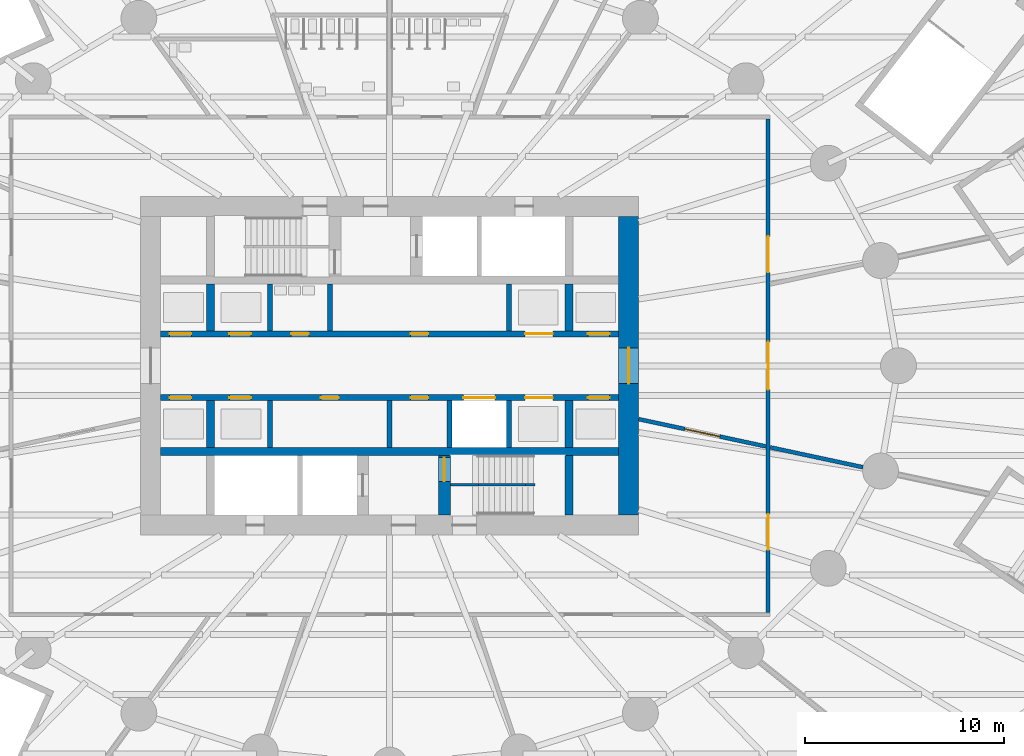
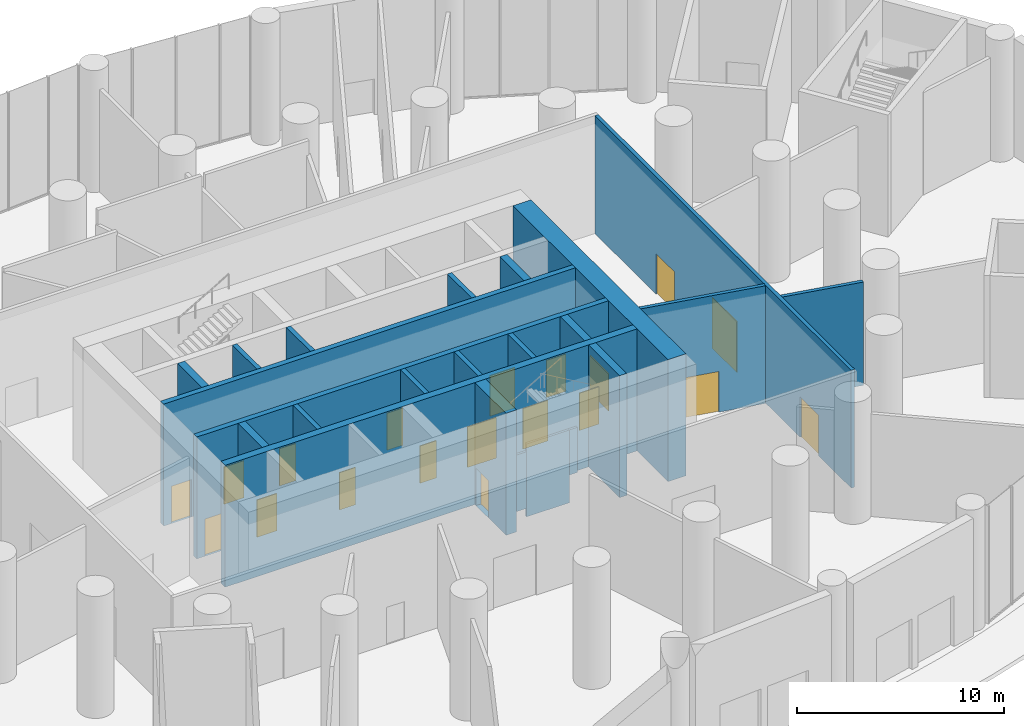
# One storey, part 15 of 22: 23 walls, 19 doors, 19 openings.
"""IFC4 building model written with IfcOpenShell, lengths in metres."""

from ifc_helpers import new_model, si_unit, direction, frame, frame_2d, origin, place, context, subcontext, project, spatial, rectangle, extrude, material, layer, layer_set, type_object, element, fill, save


model = new_model("IFC4")

# Units and contexts
model_context = context("Model", 3, precision=1e-05, world=origin(), true_north=direction((0.0, 1.0)))
body_context = subcontext(model_context, "Body", "Model", "MODEL_VIEW")
ifc_project = project(units=[si_unit("LENGTHUNIT", "METRE"), si_unit("AREAUNIT", "SQUARE_METRE"), si_unit("VOLUMEUNIT", "CUBIC_METRE"), si_unit("PLANEANGLEUNIT", "RADIAN"), si_unit("MASSUNIT", "GRAM", prefix="KILO")], contexts=[model_context])

# Site, building, storey
site_placement = place(None, origin())
site = spatial("IfcSite", under=ifc_project, at=site_placement, CompositionType="ELEMENT")
building_placement = place(site_placement, origin())
building = spatial("IfcBuilding", under=site, at=building_placement, Name="Hankou Lantern Tower", CompositionType="ELEMENT")
storey_placement = place(building_placement, origin())
storey = spatial("IfcBuildingStorey", under=building, at=storey_placement, Name="L00", CompositionType="ELEMENT", Elevation=0.0)

# Wall, opening, door
ifc_material_1 = material(Name="Concrete C60", Category="concrete")
ifc_layer_1 = layer(ifc_material_1, 1.0)
ifc_layer_set_1 = layer_set([ifc_layer_1], Name="Concrete C60")
wall_type_1 = type_object("IfcWallType", Name="CW1 CORE WALL 1000", PredefinedType="SHEAR", material=ifc_layer_set_1)
wall_1_placement = place(storey_placement, frame((12.0, -7.5, 0.0), z_axis=(0.0, 0.0, 1.0), x_axis=(0.0, 1.0, 0.0)))
wall_1 = element("IfcWall", 1, at=wall_1_placement, inside=storey, type_object=wall_type_1, Name="Core wall east L00", PredefinedType="SHEAR", context=body_context, shape_type="SweptSolid", body=[
    extrude(rectangle(XDim=15.0, YDim=1.0, at=frame_2d((7.5, 0.0))), origin(), (0.0, 0.0, 1.0), 7.199951171875),
])
opening_1_placement = place(wall_1_placement, frame((6.60009765625, 0.0, 0.0)))
opening_1 = element("IfcOpeningElement", 2, at=opening_1_placement, cuts=wall_1, Name="Opening D6", PredefinedType="OPENING", context=body_context, shape_type="SweptSolid", body=[
    extrude(rectangle(XDim=1.800048828125, YDim=2.199951171875, at=frame_2d((0.89990234375, 1.10009765625))), frame((0.0, 0.510009765625, 0.0), z_axis=(0.0, -1.0, 0.0), x_axis=(1.0, 0.0, 0.0)), (0.0, 0.0, 1.0), 1.02001953125),
])
ifc_material_2 = material(Name="Steel door leaf", Category="steel")
door_type_1 = type_object("IfcDoorType", Name="D6 LIFT LOBBY DOOR 1800X2200", OperationType="DOUBLE_DOOR_DOUBLE_SWING", PredefinedType="DOOR", material=ifc_material_2)
door_1_placement = place(opening_1_placement, origin())
door_1 = element("IfcDoor", 3, at=door_1_placement, inside=storey, type_object=door_type_1, Name="Lift lobby east door", OperationType="DOUBLE_DOOR_DOUBLE_SWING", OverallHeight=2.199951171875, OverallWidth=1.800048828125, PredefinedType="DOOR", context=body_context, shape_type="SweptSolid", body=[
    extrude(rectangle(XDim=1.800048828125, YDim=2.199951171875, at=frame_2d((0.89990234375, 1.10009765625))), frame((0.0, 0.02490234375, 0.0), z_axis=(0.0, -1.0, 0.0), x_axis=(1.0, 0.0, 0.0)), (0.0, 0.0, 1.0), 0.050048828125),
])
fill(opening_1, door_1)

# Walls
ifc_material_3 = material(Name="Concrete C50", Category="concrete")
ifc_layer_2 = layer(ifc_material_3, 0.1201171875)
ifc_layer_set_2 = layer_set([ifc_layer_2], Name="Concrete C50")
wall_type_2 = type_object("IfcWallType", Name="CW10 STAIR SEPARATION WALL 120", PredefinedType="PARTITIONING", material=ifc_layer_set_2)
wall_2_placement = place(storey_placement, frame((6.830078125, -5.97509765625, -0.5), z_axis=(0.0, 0.0, 1.0), x_axis=(-1.0, 0.0, 0.0)))
element("IfcWall", 4, at=wall_2_placement, inside=storey, type_object=wall_type_2, Name="Stair B separation wall (flight gap)", PredefinedType="PARTITIONING", context=body_context, shape_type="SweptSolid", body=[
    extrude(rectangle(XDim=2.380126953125, YDim=0.1201171875, at=frame_2d((1.18994140625, 0.0))), origin(), (0.0, 0.0, 1.0), 4.300048828125),
])
wall_3_placement = place(storey_placement, frame((4.449951171875, -5.97509765625, 0.0), z_axis=(0.0, 0.0, 1.0), x_axis=(-1.0, 0.0, 0.0)))
element("IfcWall", 5, at=wall_3_placement, inside=storey, type_object=wall_type_2, Name="Stair B separation wall (landing)", PredefinedType="PARTITIONING", context=body_context, shape_type="SweptSolid", body=[
    extrude(rectangle(XDim=1.39990234375, YDim=0.1201171875, at=frame_2d((0.699951171875, 0.0))), origin(), (0.0, 0.0, 1.0), 3.35009765625),
])
wall_4_placement = place(storey_placement, frame((7.300048828125, -5.97509765625, 1.12890625), z_axis=(0.0, 0.0, 1.0), x_axis=(-1.0, 0.0, 0.0)))
element("IfcWall", 6, at=wall_4_placement, inside=storey, type_object=wall_type_2, Name="Stair B separation wall (flight gap, west end)", PredefinedType="PARTITIONING", context=body_context, shape_type="SweptSolid", body=[
    extrude(rectangle(XDim=0.469970703125, YDim=0.1201171875, at=frame_2d((0.23486328125, 0.0))), origin(), (0.0, 0.0, 1.0), 2.671142578125),
])
ifc_material_4 = material(Name="Concrete C60", Category="concrete")
ifc_layer_3 = layer(ifc_material_4, 0.39990234375)
ifc_layer_set_3 = layer_set([ifc_layer_3], Name="Concrete C60")
wall_type_3 = type_object("IfcWallType", Name="CW4 CORE CROSS WALL 400", PredefinedType="SHEAR", material=ifc_layer_set_3)
wall_5_placement = place(storey_placement, frame((-11.5, -4.300048828125, 0.0), z_axis=(0.0, 0.0, 1.0), x_axis=(1.0, 0.0, 0.0)))
element("IfcWall", 7, at=wall_5_placement, inside=storey, type_object=wall_type_3, Name="Core band wall south L00", PredefinedType="SHEAR", context=body_context, shape_type="SweptSolid", body=[
    extrude(rectangle(XDim=23.0, YDim=0.39990234375, at=frame_2d((11.5, 0.0))), origin(), (0.0, 0.0, 1.0), 7.199951171875),
])
for number, where, z_axis, x_axis, name in (
    (8, (-9.0, 1.75, 0.0), (0.0, 0.0, 1.0), (0.0, 1.0, 0.0), "Core strip wall L00"),
    (9, (-9.0, -4.10009765625, 0.0), (0.0, 0.0, 1.0), (0.0, 1.0, 0.0), "Core strip wall L00"),
    (10, (9.0, 1.75, 0.0), (0.0, 0.0, 1.0), (0.0, 1.0, 0.0), "Core strip wall L00"),
    (11, (9.0, -4.10009765625, 0.0), (0.0, 0.0, 1.0), (0.0, 1.0, 0.0), "Core strip wall L00"),
):
    element("IfcWall", number, at=place(storey_placement, frame(where, z_axis=z_axis, x_axis=x_axis)), inside=storey, type_object=wall_type_3, Name=name, PredefinedType="SHEAR", context=body_context, shape_type="SweptSolid", body=[
        extrude(rectangle(XDim=2.35009765625, YDim=0.39990234375, at=frame_2d((1.175048828125, 0.0))), origin(), (0.0, 0.0, 1.0), 7.199951171875),
    ])
wall_6_placement = place(storey_placement, frame((9.0, -7.5, 0.0), z_axis=(0.0, 0.0, 1.0), x_axis=(0.0, 1.0, 0.0)))
element("IfcWall", 12, at=wall_6_placement, inside=storey, type_object=wall_type_3, Name="Core strip wall L00", PredefinedType="SHEAR", context=body_context, shape_type="SweptSolid", body=[
    extrude(rectangle(XDim=3.0, YDim=0.39990234375, at=frame_2d((1.5, 0.0))), origin(), (0.0, 0.0, 1.0), 7.199951171875),
])

# Wall, openings, doors
ifc_material_5 = material(Name="Concrete C60", Category="concrete")
ifc_layer_4 = layer(ifc_material_5, 0.300048828125)
ifc_layer_set_4 = layer_set([ifc_layer_4], Name="Concrete C60")
wall_type_4 = type_object("IfcWallType", Name="CW5 LIFT LOBBY WALL 300", PredefinedType="SHEAR", material=ifc_layer_set_4)
wall_7_placement = place(storey_placement, frame((-11.5, 1.60009765625, 0.0), z_axis=(0.0, 0.0, 1.0), x_axis=(1.0, 0.0, 0.0)))
wall_7 = element("IfcWall", 13, at=wall_7_placement, inside=storey, type_object=wall_type_4, Name="Lift lobby wall north L00", PredefinedType="SHEAR", context=body_context, shape_type="SweptSolid", body=[
    extrude(rectangle(XDim=23.0, YDim=0.300048828125, at=frame_2d((11.5, 0.0))), origin(), (0.0, 0.0, 1.0), 7.199951171875),
])
opening_2_placement = place(wall_7_placement, frame((0.449951171875, 0.0, 0.0)))
opening_2 = element("IfcOpeningElement", 14, at=opening_2_placement, cuts=wall_7, Name="Opening LD1", PredefinedType="OPENING", context=body_context, shape_type="SweptSolid", body=[
    extrude(rectangle(XDim=1.10009765625, YDim=2.199951171875, at=frame_2d((0.550048828125, 1.10009765625))), frame((0.0, 0.159912109375, 0.0), z_axis=(0.0, -1.0, 0.0), x_axis=(1.0, 0.0, 0.0)), (0.0, 0.0, 1.0), 0.320068359375),
])
opening_3_placement = place(wall_7_placement, frame((3.449951171875, 0.0, 0.0)))
opening_3 = element("IfcOpeningElement", 15, at=opening_3_placement, cuts=wall_7, Name="Opening LD1", PredefinedType="OPENING", context=body_context, shape_type="SweptSolid", body=[
    extrude(rectangle(XDim=1.10009765625, YDim=2.199951171875, at=frame_2d((0.550048828125, 1.10009765625))), frame((0.0, 0.159912109375, 0.0), z_axis=(0.0, -1.0, 0.0), x_axis=(1.0, 0.0, 0.0)), (0.0, 0.0, 1.0), 0.320068359375),
])
opening_4_placement = place(wall_7_placement, frame((18.300048828125, 0.0, 0.0)))
opening_4 = element("IfcOpeningElement", 16, at=opening_4_placement, cuts=wall_7, Name="Opening LD3", PredefinedType="OPENING", context=body_context, shape_type="SweptSolid", body=[
    extrude(rectangle(XDim=1.39990234375, YDim=2.39990234375, at=frame_2d((0.699951171875, 1.199951171875))), frame((0.0, 0.159912109375, 0.0), z_axis=(0.0, -1.0, 0.0), x_axis=(1.0, 0.0, 0.0)), (0.0, 0.0, 1.0), 0.320068359375),
])
opening_5_placement = place(wall_7_placement, frame((21.449951171875, 0.0, 0.0)))
opening_5 = element("IfcOpeningElement", 17, at=opening_5_placement, cuts=wall_7, Name="Opening LD1", PredefinedType="OPENING", context=body_context, shape_type="SweptSolid", body=[
    extrude(rectangle(XDim=1.10009765625, YDim=2.199951171875, at=frame_2d((0.550048828125, 1.10009765625))), frame((0.0, 0.159912109375, 0.0), z_axis=(0.0, -1.0, 0.0), x_axis=(1.0, 0.0, 0.0)), (0.0, 0.0, 1.0), 0.320068359375),
])
opening_6_placement = place(wall_7_placement, frame((6.550048828125, 0.0, 0.0)))
opening_6 = element("IfcOpeningElement", 18, at=opening_6_placement, cuts=wall_7, Name="Opening D30", PredefinedType="OPENING", context=body_context, shape_type="SweptSolid", body=[
    extrude(rectangle(XDim=0.89990234375, YDim=2.199951171875, at=frame_2d((0.449951171875, 1.10009765625))), frame((0.0, 0.159912109375, 0.0), z_axis=(0.0, -1.0, 0.0), x_axis=(1.0, 0.0, 0.0)), (0.0, 0.0, 1.0), 0.320068359375),
])
opening_7_placement = place(wall_7_placement, frame((12.550048828125, 0.0, 0.0)))
opening_7 = element("IfcOpeningElement", 19, at=opening_7_placement, cuts=wall_7, Name="Opening D30", PredefinedType="OPENING", context=body_context, shape_type="SweptSolid", body=[
    extrude(rectangle(XDim=0.89990234375, YDim=2.199951171875, at=frame_2d((0.449951171875, 1.10009765625))), frame((0.0, 0.159912109375, 0.0), z_axis=(0.0, -1.0, 0.0), x_axis=(1.0, 0.0, 0.0)), (0.0, 0.0, 1.0), 0.320068359375),
])
ifc_material_6 = material(Name="Steel door leaf", Category="steel")
door_type_2 = type_object("IfcDoorType", Name="D30 CORE ROOM DOOR 900X2200", OperationType="SINGLE_SWING_LEFT", PredefinedType="DOOR", material=ifc_material_6)
door_2_placement = place(opening_6_placement, origin())
door_2 = element("IfcDoor", 20, at=door_2_placement, inside=storey, type_object=door_type_2, Name="Staff WC door", OperationType="SINGLE_SWING_LEFT", OverallHeight=2.199951171875, OverallWidth=0.89990234375, PredefinedType="DOOR", context=body_context, shape_type="SweptSolid", body=[
    extrude(rectangle(XDim=0.89990234375, YDim=2.199951171875, at=frame_2d((0.449951171875, 1.10009765625))), frame((0.0, 0.02490234375, 0.0), z_axis=(0.0, -1.0, 0.0), x_axis=(1.0, 0.0, 0.0)), (0.0, 0.0, 1.0), 0.050048828125),
])
fill(opening_6, door_2)
door_3_placement = place(opening_7_placement, origin())
door_3 = element("IfcDoor", 21, at=door_3_placement, inside=storey, type_object=door_type_2, Name="Engineering store door", OperationType="SINGLE_SWING_RIGHT", OverallHeight=2.199951171875, OverallWidth=0.89990234375, PredefinedType="DOOR", context=body_context, shape_type="SweptSolid", body=[
    extrude(rectangle(XDim=0.89990234375, YDim=2.199951171875, at=frame_2d((0.449951171875, 1.10009765625))), frame((0.0, 0.02490234375, 0.0), z_axis=(0.0, -1.0, 0.0), x_axis=(1.0, 0.0, 0.0)), (0.0, 0.0, 1.0), 0.050048828125),
])
fill(opening_7, door_3)
ifc_material_7 = material(Name="Steel door leaf", Category="steel")
door_type_3 = type_object("IfcDoorType", Name="LD1 LIFT LANDING DOOR 1100X2200", OperationType="DOUBLE_DOOR_SLIDING", PredefinedType="DOOR", material=ifc_material_7)
door_4_placement = place(opening_2_placement, origin())
door_4 = element("IfcDoor", 22, at=door_4_placement, inside=storey, type_object=door_type_3, Name="Lift L1 landing door", OperationType="DOUBLE_DOOR_SLIDING", OverallHeight=2.199951171875, OverallWidth=1.10009765625, PredefinedType="DOOR", context=body_context, shape_type="SweptSolid", body=[
    extrude(rectangle(XDim=1.10009765625, YDim=2.199951171875, at=frame_2d((0.550048828125, 1.10009765625))), frame((0.0, 0.02490234375, 0.0), z_axis=(0.0, -1.0, 0.0), x_axis=(1.0, 0.0, 0.0)), (0.0, 0.0, 1.0), 0.050048828125),
])
fill(opening_2, door_4)
door_5_placement = place(opening_3_placement, origin())
door_5 = element("IfcDoor", 23, at=door_5_placement, inside=storey, type_object=door_type_3, Name="Lift L2 landing door", OperationType="DOUBLE_DOOR_SLIDING", OverallHeight=2.199951171875, OverallWidth=1.10009765625, PredefinedType="DOOR", context=body_context, shape_type="SweptSolid", body=[
    extrude(rectangle(XDim=1.10009765625, YDim=2.199951171875, at=frame_2d((0.550048828125, 1.10009765625))), frame((0.0, 0.02490234375, 0.0), z_axis=(0.0, -1.0, 0.0), x_axis=(1.0, 0.0, 0.0)), (0.0, 0.0, 1.0), 0.050048828125),
])
fill(opening_3, door_5)
door_6_placement = place(opening_5_placement, origin())
door_6 = element("IfcDoor", 24, at=door_6_placement, inside=storey, type_object=door_type_3, Name="Lift S1 landing door", OperationType="DOUBLE_DOOR_SLIDING", OverallHeight=2.199951171875, OverallWidth=1.10009765625, PredefinedType="DOOR", context=body_context, shape_type="SweptSolid", body=[
    extrude(rectangle(XDim=1.10009765625, YDim=2.199951171875, at=frame_2d((0.550048828125, 1.10009765625))), frame((0.0, 0.02490234375, 0.0), z_axis=(0.0, -1.0, 0.0), x_axis=(1.0, 0.0, 0.0)), (0.0, 0.0, 1.0), 0.050048828125),
])
fill(opening_5, door_6)
ifc_material_8 = material(Name="Steel door leaf", Category="steel")
door_type_4 = type_object("IfcDoorType", Name="LD3 OBSERVATION LIFT LANDING DOOR 1400X2400", OperationType="DOUBLE_DOOR_SLIDING", PredefinedType="DOOR", material=ifc_material_8)
door_7_placement = place(opening_4_placement, origin())
door_7 = element("IfcDoor", 25, at=door_7_placement, inside=storey, type_object=door_type_4, Name="Lift OB1 landing door", OperationType="DOUBLE_DOOR_SLIDING", OverallHeight=2.39990234375, OverallWidth=1.39990234375, PredefinedType="DOOR", context=body_context, shape_type="SweptSolid", body=[
    extrude(rectangle(XDim=1.39990234375, YDim=2.39990234375, at=frame_2d((0.699951171875, 1.199951171875))), frame((0.0, 0.02490234375, 0.0), z_axis=(0.0, -1.0, 0.0), x_axis=(1.0, 0.0, 0.0)), (0.0, 0.0, 1.0), 0.050048828125),
])
fill(opening_4, door_7)

wall_8_placement = place(storey_placement, frame((-11.5, -1.60009765625, 0.0), z_axis=(0.0, 0.0, 1.0), x_axis=(1.0, 0.0, 0.0)))
wall_8 = element("IfcWall", 26, at=wall_8_placement, inside=storey, type_object=wall_type_4, Name="Lift lobby wall south L00", PredefinedType="SHEAR", context=body_context, shape_type="SweptSolid", body=[
    extrude(rectangle(XDim=23.0, YDim=0.300048828125, at=frame_2d((11.5, 0.0))), origin(), (0.0, 0.0, 1.0), 7.199951171875),
])
opening_8_placement = place(wall_8_placement, frame((0.449951171875, 0.0, 0.0)))
opening_8 = element("IfcOpeningElement", 27, at=opening_8_placement, cuts=wall_8, Name="Opening LD1", PredefinedType="OPENING", context=body_context, shape_type="SweptSolid", body=[
    extrude(rectangle(XDim=1.10009765625, YDim=2.199951171875, at=frame_2d((0.550048828125, 1.10009765625))), frame((0.0, 0.159912109375, 0.0), z_axis=(0.0, -1.0, 0.0), x_axis=(1.0, 0.0, 0.0)), (0.0, 0.0, 1.0), 0.320068359375),
])
opening_9_placement = place(wall_8_placement, frame((3.449951171875, 0.0, 0.0)))
opening_9 = element("IfcOpeningElement", 28, at=opening_9_placement, cuts=wall_8, Name="Opening LD1", PredefinedType="OPENING", context=body_context, shape_type="SweptSolid", body=[
    extrude(rectangle(XDim=1.10009765625, YDim=2.199951171875, at=frame_2d((0.550048828125, 1.10009765625))), frame((0.0, 0.159912109375, 0.0), z_axis=(0.0, -1.0, 0.0), x_axis=(1.0, 0.0, 0.0)), (0.0, 0.0, 1.0), 0.320068359375),
])
opening_10_placement = place(wall_8_placement, frame((15.199951171875, 0.0, 0.0)))
opening_10 = element("IfcOpeningElement", 29, at=opening_10_placement, cuts=wall_8, Name="Opening LD4", PredefinedType="OPENING", context=body_context, shape_type="SweptSolid", body=[
    extrude(rectangle(XDim=1.60009765625, YDim=2.39990234375, at=frame_2d((0.800048828125, 1.199951171875))), frame((0.0, 0.159912109375, 0.0), z_axis=(0.0, -1.0, 0.0), x_axis=(1.0, 0.0, 0.0)), (0.0, 0.0, 1.0), 0.320068359375),
])
opening_11_placement = place(wall_8_placement, frame((18.300048828125, 0.0, 0.0)))
opening_11 = element("IfcOpeningElement", 30, at=opening_11_placement, cuts=wall_8, Name="Opening LD3", PredefinedType="OPENING", context=body_context, shape_type="SweptSolid", body=[
    extrude(rectangle(XDim=1.39990234375, YDim=2.39990234375, at=frame_2d((0.699951171875, 1.199951171875))), frame((0.0, 0.159912109375, 0.0), z_axis=(0.0, -1.0, 0.0), x_axis=(1.0, 0.0, 0.0)), (0.0, 0.0, 1.0), 0.320068359375),
])
opening_12_placement = place(wall_8_placement, frame((21.449951171875, 0.0, 0.0)))
opening_12 = element("IfcOpeningElement", 31, at=opening_12_placement, cuts=wall_8, Name="Opening LD1", PredefinedType="OPENING", context=body_context, shape_type="SweptSolid", body=[
    extrude(rectangle(XDim=1.10009765625, YDim=2.199951171875, at=frame_2d((0.550048828125, 1.10009765625))), frame((0.0, 0.159912109375, 0.0), z_axis=(0.0, -1.0, 0.0), x_axis=(1.0, 0.0, 0.0)), (0.0, 0.0, 1.0), 0.320068359375),
])
opening_13_placement = place(wall_8_placement, frame((8.050048828125, 0.0, 0.0)))
opening_13 = element("IfcOpeningElement", 32, at=opening_13_placement, cuts=wall_8, Name="Opening D30", PredefinedType="OPENING", context=body_context, shape_type="SweptSolid", body=[
    extrude(rectangle(XDim=0.89990234375, YDim=2.199951171875, at=frame_2d((0.449951171875, 1.10009765625))), frame((0.0, 0.159912109375, 0.0), z_axis=(0.0, -1.0, 0.0), x_axis=(1.0, 0.0, 0.0)), (0.0, 0.0, 1.0), 0.320068359375),
])
opening_14_placement = place(wall_8_placement, frame((12.550048828125, 0.0, 0.0)))
opening_14 = element("IfcOpeningElement", 33, at=opening_14_placement, cuts=wall_8, Name="Opening D30", PredefinedType="OPENING", context=body_context, shape_type="SweptSolid", body=[
    extrude(rectangle(XDim=0.89990234375, YDim=2.199951171875, at=frame_2d((0.449951171875, 1.10009765625))), frame((0.0, 0.159912109375, 0.0), z_axis=(0.0, -1.0, 0.0), x_axis=(1.0, 0.0, 0.0)), (0.0, 0.0, 1.0), 0.320068359375),
])
door_8_placement = place(opening_13_placement, origin())
door_8 = element("IfcDoor", 34, at=door_8_placement, inside=storey, type_object=door_type_2, Name="Concourse store door", OperationType="SINGLE_SWING_LEFT", OverallHeight=2.199951171875, OverallWidth=0.89990234375, PredefinedType="DOOR", context=body_context, shape_type="SweptSolid", body=[
    extrude(rectangle(XDim=0.89990234375, YDim=2.199951171875, at=frame_2d((0.449951171875, 1.10009765625))), frame((0.0, 0.02490234375, 0.0), z_axis=(0.0, -1.0, 0.0), x_axis=(1.0, 0.0, 0.0)), (0.0, 0.0, 1.0), 0.050048828125),
])
fill(opening_13, door_8)
door_9_placement = place(opening_14_placement, origin())
door_9 = element("IfcDoor", 35, at=door_9_placement, inside=storey, type_object=door_type_2, Name="Ticketing back office door", OperationType="SINGLE_SWING_RIGHT", OverallHeight=2.199951171875, OverallWidth=0.89990234375, PredefinedType="DOOR", context=body_context, shape_type="SweptSolid", body=[
    extrude(rectangle(XDim=0.89990234375, YDim=2.199951171875, at=frame_2d((0.449951171875, 1.10009765625))), frame((0.0, 0.02490234375, 0.0), z_axis=(0.0, -1.0, 0.0), x_axis=(1.0, 0.0, 0.0)), (0.0, 0.0, 1.0), 0.050048828125),
])
fill(opening_14, door_9)
door_10_placement = place(opening_8_placement, origin())
door_10 = element("IfcDoor", 36, at=door_10_placement, inside=storey, type_object=door_type_3, Name="Lift L3 landing door", OperationType="DOUBLE_DOOR_SLIDING", OverallHeight=2.199951171875, OverallWidth=1.10009765625, PredefinedType="DOOR", context=body_context, shape_type="SweptSolid", body=[
    extrude(rectangle(XDim=1.10009765625, YDim=2.199951171875, at=frame_2d((0.550048828125, 1.10009765625))), frame((0.0, 0.02490234375, 0.0), z_axis=(0.0, -1.0, 0.0), x_axis=(1.0, 0.0, 0.0)), (0.0, 0.0, 1.0), 0.050048828125),
])
fill(opening_8, door_10)
door_11_placement = place(opening_9_placement, origin())
door_11 = element("IfcDoor", 37, at=door_11_placement, inside=storey, type_object=door_type_3, Name="Lift L4 landing door", OperationType="DOUBLE_DOOR_SLIDING", OverallHeight=2.199951171875, OverallWidth=1.10009765625, PredefinedType="DOOR", context=body_context, shape_type="SweptSolid", body=[
    extrude(rectangle(XDim=1.10009765625, YDim=2.199951171875, at=frame_2d((0.550048828125, 1.10009765625))), frame((0.0, 0.02490234375, 0.0), z_axis=(0.0, -1.0, 0.0), x_axis=(1.0, 0.0, 0.0)), (0.0, 0.0, 1.0), 0.050048828125),
])
fill(opening_9, door_11)
door_12_placement = place(opening_12_placement, origin())
door_12 = element("IfcDoor", 38, at=door_12_placement, inside=storey, type_object=door_type_3, Name="Lift S2 landing door", OperationType="DOUBLE_DOOR_SLIDING", OverallHeight=2.199951171875, OverallWidth=1.10009765625, PredefinedType="DOOR", context=body_context, shape_type="SweptSolid", body=[
    extrude(rectangle(XDim=1.10009765625, YDim=2.199951171875, at=frame_2d((0.550048828125, 1.10009765625))), frame((0.0, 0.02490234375, 0.0), z_axis=(0.0, -1.0, 0.0), x_axis=(1.0, 0.0, 0.0)), (0.0, 0.0, 1.0), 0.050048828125),
])
fill(opening_12, door_12)
door_13_placement = place(opening_11_placement, origin())
door_13 = element("IfcDoor", 39, at=door_13_placement, inside=storey, type_object=door_type_4, Name="Lift OB2 landing door", OperationType="DOUBLE_DOOR_SLIDING", OverallHeight=2.39990234375, OverallWidth=1.39990234375, PredefinedType="DOOR", context=body_context, shape_type="SweptSolid", body=[
    extrude(rectangle(XDim=1.39990234375, YDim=2.39990234375, at=frame_2d((0.699951171875, 1.199951171875))), frame((0.0, 0.02490234375, 0.0), z_axis=(0.0, -1.0, 0.0), x_axis=(1.0, 0.0, 0.0)), (0.0, 0.0, 1.0), 0.050048828125),
])
fill(opening_11, door_13)
ifc_material_9 = material(Name="Steel door leaf", Category="steel")
door_type_5 = type_object("IfcDoorType", Name="LD4 SERVICE LIFT LANDING DOOR 1600X2400", OperationType="DOUBLE_DOOR_SLIDING", PredefinedType="DOOR", material=ifc_material_9)
door_14_placement = place(opening_10_placement, origin())
door_14 = element("IfcDoor", 40, at=door_14_placement, inside=storey, type_object=door_type_5, Name="Lift SV1 landing door", OperationType="DOUBLE_DOOR_SLIDING", OverallHeight=2.39990234375, OverallWidth=1.60009765625, PredefinedType="DOOR", context=body_context, shape_type="SweptSolid", body=[
    extrude(rectangle(XDim=1.60009765625, YDim=2.39990234375, at=frame_2d((0.800048828125, 1.199951171875))), frame((0.0, 0.02490234375, 0.0), z_axis=(0.0, -1.0, 0.0), x_axis=(1.0, 0.0, 0.0)), (0.0, 0.0, 1.0), 0.050048828125),
])
fill(opening_10, door_14)

# Wall, opening, door
ifc_material_10 = material(Name="Concrete C60", Category="concrete")
ifc_layer_5 = layer(ifc_material_10, 0.60009765625)
ifc_layer_set_5 = layer_set([ifc_layer_5], Name="Concrete C60")
wall_type_5 = type_object("IfcWallType", Name="CW6 STAIR AND SHAFT WALL 600", PredefinedType="SHEAR", material=ifc_layer_set_5)
wall_9_placement = place(storey_placement, frame((2.75, -7.5, 0.0), z_axis=(0.0, 0.0, 1.0), x_axis=(0.0, 1.0, 0.0)))
wall_9 = element("IfcWall", 41, at=wall_9_placement, inside=storey, type_object=wall_type_5, Name="Stair wall L00", PredefinedType="SHEAR", context=body_context, shape_type="SweptSolid", body=[
    extrude(rectangle(XDim=3.0, YDim=0.60009765625, at=frame_2d((1.5, 0.0))), origin(), (0.0, 0.0, 1.0), 7.199951171875),
])
opening_15_placement = place(wall_9_placement, frame((1.6923828125, 0.0, 0.0)))
opening_15 = element("IfcOpeningElement", 42, at=opening_15_placement, cuts=wall_9, Name="Opening D45", PredefinedType="OPENING", context=body_context, shape_type="SweptSolid", body=[
    extrude(rectangle(XDim=1.199951171875, YDim=2.199951171875, at=frame_2d((0.60009765625, 1.10009765625))), frame((0.0, 0.31005859375, 0.0), z_axis=(0.0, -1.0, 0.0), x_axis=(1.0, 0.0, 0.0)), (0.0, 0.0, 1.0), 0.6201171875),
])
ifc_material_11 = material(Name="Steel door leaf", Category="steel")
door_type_6 = type_object("IfcDoorType", Name="D45 WIDE STAIR DOOR 1200X2200", OperationType="SINGLE_SWING_LEFT", PredefinedType="DOOR", material=ifc_material_11)
door_15_placement = place(opening_15_placement, origin())
door_15 = element("IfcDoor", 43, at=door_15_placement, inside=storey, type_object=door_type_6, Name="Stair B door", OperationType="SINGLE_SWING_RIGHT", OverallHeight=2.199951171875, OverallWidth=1.199951171875, PredefinedType="DOOR", context=body_context, shape_type="SweptSolid", body=[
    extrude(rectangle(XDim=1.199951171875, YDim=2.199951171875, at=frame_2d((0.60009765625, 1.10009765625))), frame((0.0, 0.02490234375, 0.0), z_axis=(0.0, -1.0, 0.0), x_axis=(1.0, 0.0, 0.0)), (0.0, 0.0, 1.0), 0.050048828125),
])
fill(opening_15, door_15)

# Wall
ifc_material_12 = material(Name="Masonry dense concrete block", Category="masonry")
ifc_layer_6 = layer(ifc_material_12, 0.199951171875)
ifc_layer_set_6 = layer_set([ifc_layer_6], Name="Masonry dense concrete block")
wall_type_6 = type_object("IfcWallType", Name="FW1 COMPARTMENT FIRE WALL 200", PredefinedType="PARTITIONING", material=ifc_layer_set_6)
wall_10_placement = place(storey_placement, frame((19.10009765625, -4.09423828125, 0.0), z_axis=(0.0, 0.0, 1.0), x_axis=(0.977784445586, -0.209612924148, 0.0)))
element("IfcWall", 44, at=wall_10_placement, inside=storey, type_object=wall_type_6, Name="Fire wall R24", PredefinedType="PARTITIONING", context=body_context, shape_type="SweptSolid", body=[
    extrude(rectangle(XDim=4.77294921875, YDim=0.199951171875, at=frame_2d((2.386474609375, 0.0))), origin(), (0.0, 0.0, 1.0), 6.10009765625),
])

# Wall, opening, door
wall_11_placement = place(storey_placement, frame((18.89990234375, -4.051513671875, 0.0), z_axis=(0.0, 0.0, 1.0), x_axis=(-0.977781666858, 0.2096258857, 0.0)))
wall_11 = element("IfcWall", 45, at=wall_11_placement, inside=storey, type_object=wall_type_6, Name="Fire wall R24 across the foyer", PredefinedType="PARTITIONING", context=body_context, shape_type="SweptSolid", body=[
    extrude(rectangle(XDim=6.54541015625, YDim=0.199951171875, at=frame_2d((3.272705078125, 0.0))), origin(), (0.0, 0.0, 1.0), 6.949951171875),
])
opening_16_placement = place(wall_11_placement, frame((2.373046875, 0.0, 0.0)))
opening_16 = element("IfcOpeningElement", 46, at=opening_16_placement, cuts=wall_11, Name="Opening D36", PredefinedType="OPENING", context=body_context, shape_type="SweptSolid", body=[
    extrude(rectangle(XDim=1.800048828125, YDim=2.39990234375, at=frame_2d((0.89990234375, 1.199951171875))), frame((0.0, 0.10986328125, 0.0), z_axis=(0.0, -1.0, 0.0), x_axis=(1.0, 0.0, 0.0)), (0.0, 0.0, 1.0), 0.219970703125),
])
ifc_material_13 = material(Name="Steel door leaf", Category="steel")
door_type_7 = type_object("IfcDoorType", Name="D36 CLASS A DOUBLE DOOR 1800X2400", OperationType="DOUBLE_DOOR_DOUBLE_SWING", PredefinedType="DOOR", material=ifc_material_13)
door_16_placement = place(opening_16_placement, origin())
door_16 = element("IfcDoor", 47, at=door_16_placement, inside=storey, type_object=door_type_7, Name="Fire wall R24 door", OperationType="DOUBLE_DOOR_DOUBLE_SWING", OverallHeight=2.39990234375, OverallWidth=1.800048828125, PredefinedType="DOOR", context=body_context, shape_type="SweptSolid", body=[
    extrude(rectangle(XDim=1.800048828125, YDim=2.39990234375, at=frame_2d((0.89990234375, 1.199951171875))), frame((0.0, 0.02490234375, 0.0), z_axis=(0.0, -1.0, 0.0), x_axis=(1.0, 0.0, 0.0)), (0.0, 0.0, 1.0), 0.050048828125),
])
fill(opening_16, door_16)

# Wall, openings, doors
ifc_material_14 = material(Name="Masonry dense concrete block", Category="masonry")
ifc_layer_7 = layer(ifc_material_14, 0.199951171875)
ifc_layer_set_7 = layer_set([ifc_layer_7], Name="Masonry dense concrete block")
wall_type_7 = type_object("IfcWallType", Name="IW9 2 H FIRE PARTITION 200", PredefinedType="PARTITIONING", material=ifc_layer_set_7)
wall_12_placement = place(storey_placement, frame((19.0, -12.39990234375, 0.0), z_axis=(0.0, 0.0, 1.0), x_axis=(0.0, 1.0, 0.0)))
wall_12 = element("IfcWall", 48, at=wall_12_placement, inside=storey, type_object=wall_type_7, Name="Foyer wall east", PredefinedType="PARTITIONING", context=body_context, shape_type="SweptSolid", body=[
    extrude(rectangle(XDim=24.7998046875, YDim=0.199951171875, at=frame_2d((12.39990234375, 0.0))), origin(), (0.0, 0.0, 1.0), 6.949951171875),
])
opening_17_placement = place(wall_12_placement, frame((11.199951171875, 0.0, 0.0)))
opening_17 = element("IfcOpeningElement", 49, at=opening_17_placement, cuts=wall_12, Name="Opening D14", PredefinedType="OPENING", context=body_context, shape_type="SweptSolid", body=[
    extrude(rectangle(XDim=2.39990234375, YDim=3.0, at=frame_2d((1.199951171875, 1.5))), frame((0.0, 0.10986328125, 0.0), z_axis=(0.0, -1.0, 0.0), x_axis=(1.0, 0.0, 0.0)), (0.0, 0.0, 1.0), 0.219970703125),
])
opening_18_placement = place(wall_12_placement, frame((3.15283203125, 0.0, 0.0)))
opening_18 = element("IfcOpeningElement", 50, at=opening_18_placement, cuts=wall_12, Name="Opening D8", PredefinedType="OPENING", context=body_context, shape_type="SweptSolid", body=[
    extrude(rectangle(XDim=1.800048828125, YDim=2.39990234375, at=frame_2d((0.89990234375, 1.199951171875))), frame((0.0, 0.10986328125, 0.0), z_axis=(0.0, -1.0, 0.0), x_axis=(1.0, 0.0, 0.0)), (0.0, 0.0, 1.0), 0.219970703125),
])
opening_19_placement = place(wall_12_placement, frame((17.09423828125, 0.0, 0.0)))
opening_19 = element("IfcOpeningElement", 51, at=opening_19_placement, cuts=wall_12, Name="Opening D8", PredefinedType="OPENING", context=body_context, shape_type="SweptSolid", body=[
    extrude(rectangle(XDim=1.800048828125, YDim=2.39990234375, at=frame_2d((0.89990234375, 1.199951171875))), frame((0.0, 0.10986328125, 0.0), z_axis=(0.0, -1.0, 0.0), x_axis=(1.0, 0.0, 0.0)), (0.0, 0.0, 1.0), 0.219970703125),
])
ifc_material_15 = material(Name="Steel framed fire-rated glazed door", Category="steel")
door_type_8 = type_object("IfcDoorType", Name="D14 ENTRANCE DOOR 2400X3000", OperationType="DOUBLE_DOOR_DOUBLE_SWING", PredefinedType="DOOR", material=ifc_material_15)
door_17_placement = place(opening_17_placement, origin())
door_17 = element("IfcDoor", 52, at=door_17_placement, inside=storey, type_object=door_type_8, Name="Concourse east entrance hall door", OperationType="DOUBLE_DOOR_DOUBLE_SWING", OverallHeight=3.0, OverallWidth=2.39990234375, PredefinedType="DOOR", context=body_context, shape_type="SweptSolid", body=[
    extrude(rectangle(XDim=2.39990234375, YDim=3.0, at=frame_2d((1.199951171875, 1.5))), frame((0.0, 0.02490234375, 0.0), z_axis=(0.0, -1.0, 0.0), x_axis=(1.0, 0.0, 0.0)), (0.0, 0.0, 1.0), 0.050048828125),
])
fill(opening_17, door_17)
ifc_material_16 = material(Name="Steel door leaf", Category="steel")
door_type_9 = type_object("IfcDoorType", Name="D8 DOUBLE DOOR 1800X2400", OperationType="DOUBLE_DOOR_DOUBLE_SWING", PredefinedType="DOOR", material=ifc_material_16)
door_18_placement = place(opening_18_placement, origin())
door_18 = element("IfcDoor", 53, at=door_18_placement, inside=storey, type_object=door_type_9, Name="Loading bay door", OperationType="DOUBLE_DOOR_DOUBLE_SWING", OverallHeight=2.39990234375, OverallWidth=1.800048828125, PredefinedType="DOOR", context=body_context, shape_type="SweptSolid", body=[
    extrude(rectangle(XDim=1.800048828125, YDim=2.39990234375, at=frame_2d((0.89990234375, 1.199951171875))), frame((0.0, 0.02490234375, 0.0), z_axis=(0.0, -1.0, 0.0), x_axis=(1.0, 0.0, 0.0)), (0.0, 0.0, 1.0), 0.050048828125),
])
fill(opening_18, door_18)
door_19_placement = place(opening_19_placement, origin())
door_19 = element("IfcDoor", 54, at=door_19_placement, inside=storey, type_object=door_type_9, Name="Retail unit G01 second door", OperationType="DOUBLE_DOOR_DOUBLE_SWING", OverallHeight=2.39990234375, OverallWidth=1.800048828125, PredefinedType="DOOR", context=body_context, shape_type="SweptSolid", body=[
    extrude(rectangle(XDim=1.800048828125, YDim=2.39990234375, at=frame_2d((0.89990234375, 1.199951171875))), frame((0.0, 0.02490234375, 0.0), z_axis=(0.0, -1.0, 0.0), x_axis=(1.0, 0.0, 0.0)), (0.0, 0.0, 1.0), 0.050048828125),
])
fill(opening_19, door_19)

# Walls
ifc_material_17 = material(Name="Masonry autoclaved aerated concrete block", Category="masonry")
ifc_layer_8 = layer(ifc_material_17, 0.25)
ifc_layer_set_8 = layer_set([ifc_layer_8], Name="Masonry autoclaved aerated concrete block")
wall_type_8 = type_object("IfcWallType", Name="SW1 SHAFT BLOCK WALL 250", PredefinedType="PARTITIONING", material=ifc_layer_set_8)
for number, where, z_axis, x_axis, name in (
    (55, (-6.0, 1.75, 0.0), (0.0, 0.0, 1.0), (0.0, 1.0, 0.0), "Lift shaft wall L00"),
    (56, (-3.0, 1.75, 0.0), (0.0, 0.0, 1.0), (0.0, 1.0, 0.0), "Lift shaft wall L00"),
    (57, (6.0, 1.75, 0.0), (0.0, 0.0, 1.0), (0.0, 1.0, 0.0), "Lift shaft wall L00"),
    (58, (-6.0, -4.10009765625, 0.0), (0.0, 0.0, 1.0), (0.0, 1.0, 0.0), "Lift shaft wall L00"),
    (59, (0.0, -4.10009765625, 0.0), (0.0, 0.0, 1.0), (0.0, 1.0, 0.0), "Lift shaft wall L00"),
    (60, (3.0, -4.10009765625, 0.0), (0.0, 0.0, 1.0), (0.0, 1.0, 0.0), "Lift shaft wall L00"),
    (61, (6.0, -4.10009765625, 0.0), (0.0, 0.0, 1.0), (0.0, 1.0, 0.0), "Lift shaft wall L00"),
):
    element("IfcWall", number, at=place(storey_placement, frame(where, z_axis=z_axis, x_axis=x_axis)), inside=storey, type_object=wall_type_8, Name=name, PredefinedType="PARTITIONING", context=body_context, shape_type="SweptSolid", body=[
        extrude(rectangle(XDim=2.35009765625, YDim=0.25, at=frame_2d((1.175048828125, 0.0))), origin(), (0.0, 0.0, 1.0), 7.199951171875),
    ])

save(model, "model.ifc")
